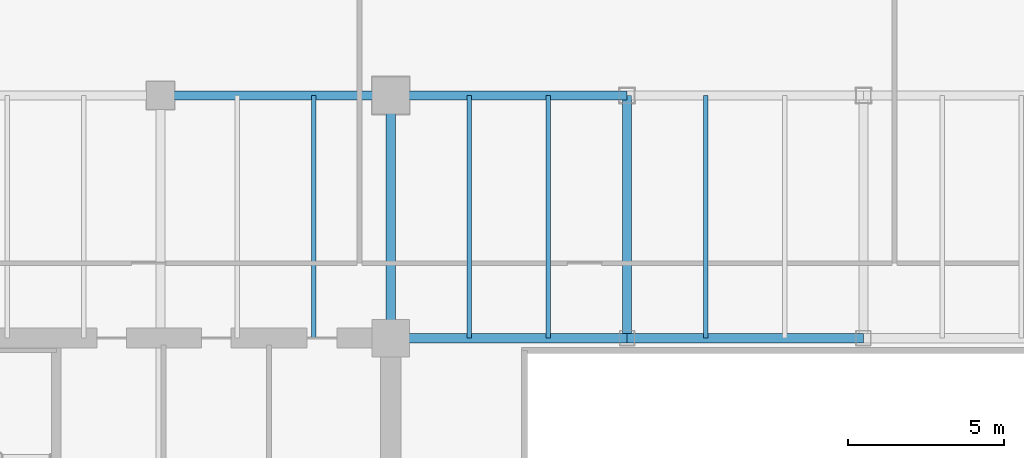
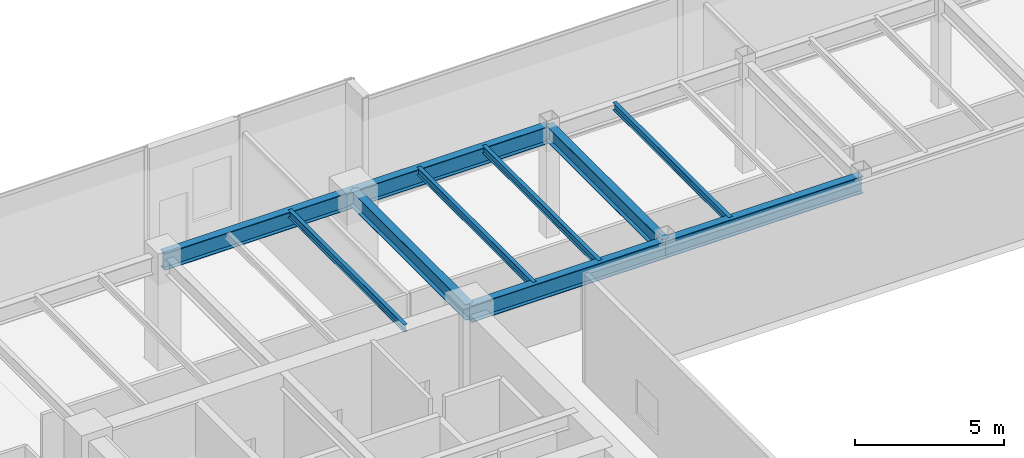
# One storey, part 15 of 33: 10 beams.
"""IFC4 building model written with IfcOpenShell, lengths in metres."""

from ifc_helpers import new_model, si_unit, direction, frame, origin, origin_2d, place, context, subcontext, project, spatial, i_section, extrude, source, transform, mapped, material, material_profile, profile_set, type_object, type_shapes, element, save


model = new_model("IFC4")

# Units and contexts
model_context = context("Model", 3, precision=1e-05, world=origin(), true_north=direction((0.0, 1.0)))
body_context = subcontext(model_context, "Body", "Model", "MODEL_VIEW")
ifc_project = project(units=[si_unit("LENGTHUNIT", "METRE"), si_unit("AREAUNIT", "SQUARE_METRE"), si_unit("VOLUMEUNIT", "CUBIC_METRE"), si_unit("PLANEANGLEUNIT", "RADIAN"), si_unit("MASSUNIT", "GRAM", prefix="KILO")], contexts=[model_context])

# Site, building, storey
site_placement = place(None, origin())
site = spatial("IfcSite", under=ifc_project, at=site_placement, CompositionType="ELEMENT")
building_placement = place(site_placement, origin())
building = spatial("IfcBuilding", under=site, at=building_placement, Name="Haelvirn Gate Laboratories", CompositionType="ELEMENT")
storey_placement = place(building_placement, frame((0.0, 0.0, 100.300048828125)))
storey = spatial("IfcBuildingStorey", under=building, at=storey_placement, Name="L24", CompositionType="ELEMENT", Elevation=100.300048828125)

# Beams
ifc_material = material(Name="Steel SM355", Category="steel")
ifc_material_profile_1 = material_profile(ifc_material, i_section(OverallWidth=0.300048828125, OverallDepth=0.64990234375, WebThickness=0.012939453125, FlangeThickness=0.02197265625, at=origin_2d()), Name="H-650x300x13x22")
ifc_profile_set_1 = profile_set([ifc_material_profile_1], Name="Steel SM355")
beam_type_1 = type_object("IfcBeamType", Name="BM-G-650", PredefinedType="BEAM", material=ifc_profile_set_1)
shared_shape_1 = source(origin(), body_context, "Body", "SweptSolid", [
    extrude(i_section(OverallWidth=0.300048828125, OverallDepth=0.64990234375, WebThickness=0.012939453125, FlangeThickness=0.02197265625, at=origin_2d()), origin(), (0.0, 0.0, 1.0), 7.800048828125),
])
type_shapes(beam_type_1, [shared_shape_1])
for number, where, z_axis, x_axis, name in (
    (1, (22.199951171875, 33.800048828125, 4.1650390625), (0.0, 1.0, 0.0), (-1.0, 0.0, 0.0), "L24 Frame Girder X22.2 (33.8-41.6)"),
    (2, (29.800048828125, 33.800048828125, 4.1650390625), (0.0, 1.0, 0.0), (-1.0, 0.0, 0.0), "L24 Frame Girder X29.8 (33.8-41.6)"),
):
    element("IfcBeam", number, at=place(storey_placement, frame(where, z_axis=z_axis, x_axis=x_axis)), inside=storey, type_object=beam_type_1, Name=name, PredefinedType="BEAM", context=body_context, shape_type="MappedRepresentation", body=[
        mapped(shared_shape_1, transform((0.0, 0.0, 0.0), scale=1.0)),
    ])
ifc_material_profile_2 = material_profile(ifc_material, i_section(OverallWidth=0.300048828125, OverallDepth=0.699951171875, WebThickness=0.012939453125, FlangeThickness=0.02392578125, at=origin_2d()), Name="H-700x300x13x24")
ifc_profile_set_2 = profile_set([ifc_material_profile_2], Name="Steel SM355")
beam_type_2 = type_object("IfcBeamType", Name="BM-G-700", PredefinedType="BEAM", material=ifc_profile_set_2)
shared_shape_2 = source(origin(), body_context, "Body", "SweptSolid", [
    extrude(i_section(OverallWidth=0.300048828125, OverallDepth=0.699951171875, WebThickness=0.012939453125, FlangeThickness=0.02392578125, at=origin_2d()), origin(), (0.0, 0.0, 1.0), 7.39990234375),
])
beam_1_placement = place(storey_placement, frame((14.800048828125, 41.60009765625, 4.139892578125), z_axis=(1.0, 0.0, 0.0), x_axis=(0.0, 1.0, 0.0)))
element("IfcBeam", 3, at=beam_1_placement, inside=storey, type_object=beam_type_2, Name="L24 Primary Girder Y41.6 (14.8-22.2)", PredefinedType="BEAM", context=body_context, shape_type="MappedRepresentation", body=[
    mapped(shared_shape_2, transform((0.0, 0.0, 0.0), scale=1.0)),
])
shared_shape_3 = source(origin(), body_context, "Body", "SweptSolid", [
    extrude(i_section(OverallWidth=0.300048828125, OverallDepth=0.699951171875, WebThickness=0.012939453125, FlangeThickness=0.02392578125, at=origin_2d()), origin(), (0.0, 0.0, 1.0), 7.60009765625),
])
for number, where, z_axis, x_axis, name in (
    (4, (22.199951171875, 33.800048828125, 4.139892578125), (1.0, 0.0, 0.0), (0.0, 1.0, 0.0), "L24 Primary Girder Y33.8 (22.2-29.8)"),
    (5, (22.199951171875, 41.60009765625, 4.139892578125), (1.0, 0.0, 0.0), (0.0, 1.0, 0.0), "L24 Primary Girder Y41.6 (22.2-29.8)"),
):
    element("IfcBeam", number, at=place(storey_placement, frame(where, z_axis=z_axis, x_axis=x_axis)), inside=storey, type_object=beam_type_2, Name=name, PredefinedType="BEAM", context=body_context, shape_type="MappedRepresentation", body=[
        mapped(shared_shape_3, transform((0.0, 0.0, 0.0), scale=1.0)),
    ])
shared_shape_4 = source(origin(), body_context, "Body", "SweptSolid", [
    extrude(i_section(OverallWidth=0.300048828125, OverallDepth=0.699951171875, WebThickness=0.012939453125, FlangeThickness=0.02392578125, at=origin_2d()), origin(), (0.0, 0.0, 1.0), 7.599853515625),
])
type_shapes(beam_type_2, [shared_shape_2, shared_shape_3, shared_shape_4])
beam_2_placement = place(storey_placement, frame((29.800048828125, 33.800048828125, 4.139892578125), z_axis=(1.0, 0.0, 0.0), x_axis=(0.0, 1.0, 0.0)))
element("IfcBeam", 6, at=beam_2_placement, inside=storey, type_object=beam_type_2, Name="L24 Primary Girder Y33.8 (29.8-37.4)", PredefinedType="BEAM", context=body_context, shape_type="MappedRepresentation", body=[
    mapped(shared_shape_4, transform((0.0, 0.0, 0.0), scale=1.0)),
])
ifc_material_profile_3 = material_profile(ifc_material, i_section(OverallWidth=0.14990234375, OverallDepth=0.300048828125, WebThickness=0.006591796875, FlangeThickness=0.009033203125, at=origin_2d()), Name="H-300x150x6.5x9")
ifc_profile_set_3 = profile_set([ifc_material_profile_3], Name="Steel SM355")
beam_type_3 = type_object("IfcBeamType", Name="BM-J-300", PredefinedType="JOIST", material=ifc_profile_set_3)
shared_shape_5 = source(origin(), body_context, "Body", "SweptSolid", [
    extrude(i_section(OverallWidth=0.14990234375, OverallDepth=0.300048828125, WebThickness=0.006591796875, FlangeThickness=0.009033203125, at=origin_2d()), origin(), (0.0, 0.0, 1.0), 7.800048828125),
])
type_shapes(beam_type_3, [shared_shape_5])
for number, where, z_axis, x_axis, name in (
    (7, (19.72998046875, 33.800048828125, 4.33984375), (0.0, 1.0, 0.0), (-1.0, 0.0, 0.0), "L24 Composite Lab Joist North X19.73"),
    (8, (24.72998046875, 33.800048828125, 4.33984375), (0.0, 1.0, 0.0), (-1.0, 0.0, 0.0), "L24 Composite Lab Joist North X24.73"),
    (9, (27.27001953125, 33.800048828125, 4.33984375), (0.0, 1.0, 0.0), (-1.0, 0.0, 0.0), "L24 Composite Lab Joist North X27.27"),
    (10, (32.330078125, 33.800048828125, 4.33984375), (0.0, 1.0, 0.0), (-1.0, 0.0, 0.0), "L24 Composite Lab Joist North X32.33"),
):
    element("IfcBeam", number, at=place(storey_placement, frame(where, z_axis=z_axis, x_axis=x_axis)), inside=storey, type_object=beam_type_3, Name=name, PredefinedType="JOIST", context=body_context, shape_type="MappedRepresentation", body=[
        mapped(shared_shape_5, transform((0.0, 0.0, 0.0), scale=1.0)),
    ])

save(model, "model.ifc")
